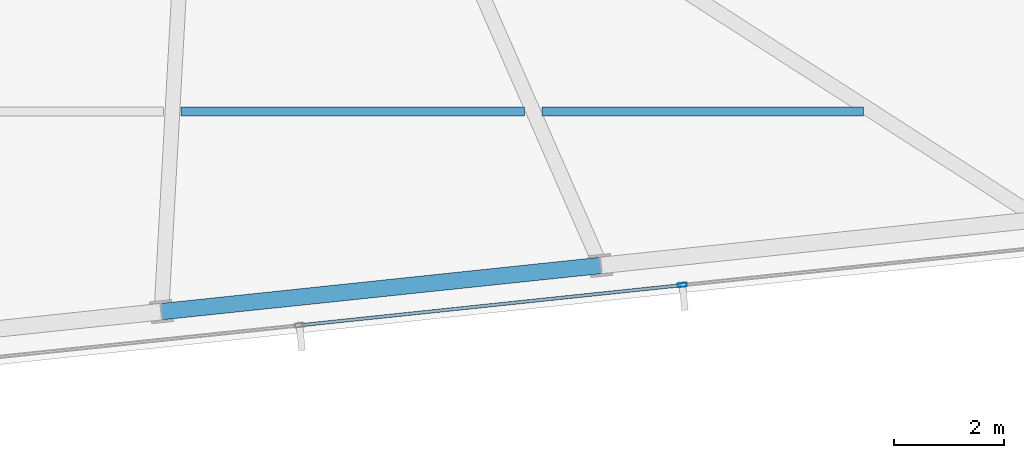
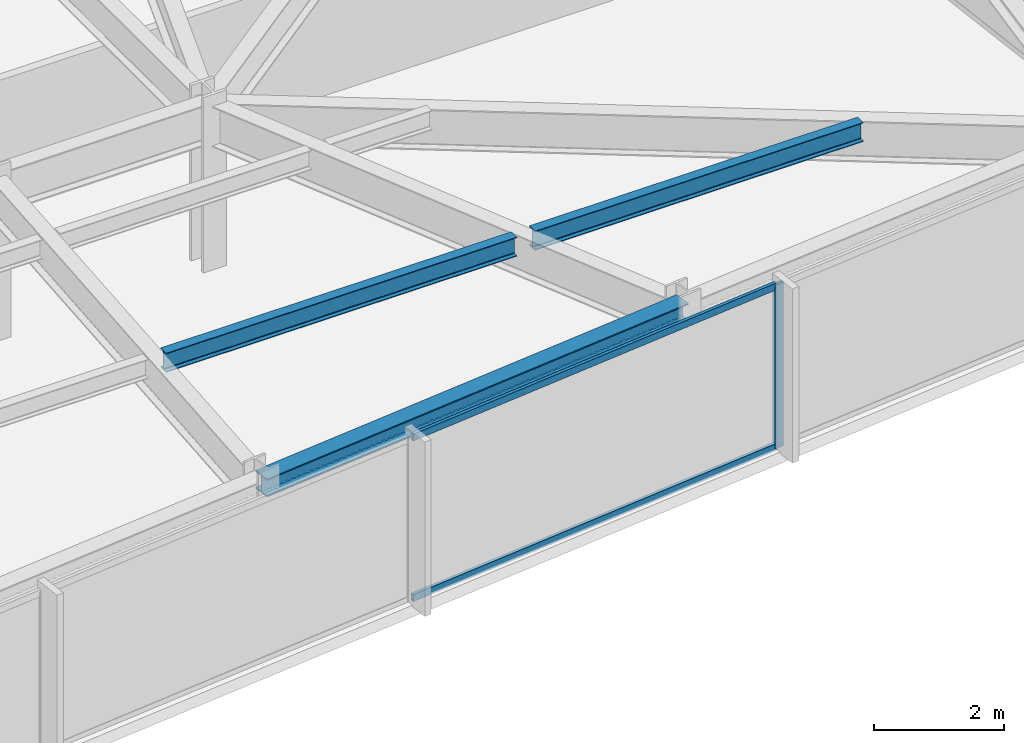
# One storey, part 15 of 32: 3 beams, 3 members, 1 element without a shape of its own.
"""IFC4 building model written with IfcOpenShell, lengths in metres."""

from ifc_helpers import new_model, si_unit, direction, frame, origin, origin_2d, place, context, subcontext, project, spatial, hollow_rectangle, i_section, extrude, material, material_profile, profile_set, type_object, element, aggregate, save


model = new_model("IFC4")

# Units and contexts
model_context = context("Model", 3, precision=1e-05, world=origin(), true_north=direction((0.0, 1.0)))
body_context = subcontext(model_context, "Body", "Model", "MODEL_VIEW")
ifc_project = project(units=[si_unit("LENGTHUNIT", "METRE"), si_unit("AREAUNIT", "SQUARE_METRE"), si_unit("VOLUMEUNIT", "CUBIC_METRE"), si_unit("PLANEANGLEUNIT", "RADIAN"), si_unit("MASSUNIT", "GRAM", prefix="KILO")], contexts=[model_context])

# Site, building, storey
site_placement = place(None, origin())
site = spatial("IfcSite", under=ifc_project, at=site_placement, CompositionType="ELEMENT")
building_placement = place(site_placement, origin())
building = spatial("IfcBuilding", under=site, at=building_placement, Name="Yelkora Congress Tower", CompositionType="ELEMENT")
storey_placement = place(building_placement, frame((0.0, 0.0, 207.800048828125)))
storey = spatial("IfcBuildingStorey", under=building, at=storey_placement, Name="L57", CompositionType="ELEMENT", Elevation=207.800048828125)

# Beams
ifc_material_1 = material(Name="Steel S355J2", Category="steel")
ifc_material_profile_1 = material_profile(ifc_material_1, i_section(OverallWidth=0.169921875, OverallDepth=0.360107421875, WebThickness=0.008056640625, FlangeThickness=0.0126953125, FilletRadius=0.01806640625, at=origin_2d()), Name="IPE 360")
ifc_profile_set_1 = profile_set([ifc_material_profile_1], Name="Steel S355J2")
beam_type_1 = type_object("IfcBeamType", Name="BM-JOIST-IPE360", PredefinedType="JOIST", material=ifc_profile_set_1)
beam_1_placement = place(storey_placement, frame((53.616455078125, 19.678466796875, 2.89990234375), z_axis=(1.0, 0.0, 0.0), x_axis=(0.0, 1.0, 0.0)))
element("IfcBeam", 1, at=beam_1_placement, inside=storey, type_object=beam_type_1, Name="L57 Composite Floor Joist 7", PredefinedType="JOIST", context=body_context, shape_type="SweptSolid", body=[
    extrude(i_section(OverallWidth=0.169921875, OverallDepth=0.360107421875, WebThickness=0.008056640625, FlangeThickness=0.0126953125, FilletRadius=0.01806640625, at=origin_2d()), origin(), (0.0, 0.0, 1.0), 6.2421875),
])
beam_2_placement = place(storey_placement, frame((60.1787109375, 19.678466796875, 2.89990234375), z_axis=(1.0, 0.0, 0.0), x_axis=(0.0, 1.0, 0.0)))
element("IfcBeam", 2, at=beam_2_placement, inside=storey, type_object=beam_type_1, Name="L57 Composite Floor Joist 8", PredefinedType="JOIST", context=body_context, shape_type="SweptSolid", body=[
    extrude(i_section(OverallWidth=0.169921875, OverallDepth=0.360107421875, WebThickness=0.008056640625, FlangeThickness=0.0126953125, FilletRadius=0.01806640625, at=origin_2d()), origin(), (0.0, 0.0, 1.0), 5.84619140625),
])
ifc_material_profile_2 = material_profile(ifc_material_1, i_section(OverallWidth=0.300048828125, OverallDepth=0.340087890625, WebThickness=0.011962890625, FlangeThickness=0.021484375, FilletRadius=0.027099609375, at=origin_2d()), Name="HEB 340")
ifc_profile_set_2 = profile_set([ifc_material_profile_2], Name="Steel S355J2")
beam_type_2 = type_object("IfcBeamType", Name="BM-SPAN-HEB340", PredefinedType="SPANDREL", material=ifc_profile_set_2)
beam_3_placement = place(storey_placement, frame((53.25634765625, 16.037353515625, 2.909912109375), z_axis=(0.994520097542, 0.104545567032, 0.0), x_axis=(-0.104545567032, 0.994520097542, 0.0)))
element("IfcBeam", 3, at=beam_3_placement, inside=storey, type_object=beam_type_2, Name="L57 Perimeter Beam 7", PredefinedType="SPANDREL", context=body_context, shape_type="SweptSolid", body=[
    extrude(i_section(OverallWidth=0.300048828125, OverallDepth=0.340087890625, WebThickness=0.011962890625, FlangeThickness=0.021484375, FilletRadius=0.027099609375, at=origin_2d()), origin(), (0.0, 0.0, 1.0), 8.033203125),
])

# Curtain wall, members
ifc_material_2 = material(Name="Anodised aluminium and insulated glass", Category="aluminium")
curtain_wall_type = type_object("IfcCurtainWallType", Name="CW-SYS-B4", PredefinedType="NOTDEFINED", material=ifc_material_2)
curtain_wall_placement = place(storey_placement, origin())
curtain_wall = element("IfcCurtainWall", 4, at=curtain_wall_placement, inside=storey, type_object=curtain_wall_type, Name="L57 Unitised Curtain Wall 20", PredefinedType="NOTDEFINED")
ifc_material_3 = material(Name="Anodised aluminium 6063-T6", Category="aluminium")
ifc_material_profile_3 = material_profile(ifc_material_3, hollow_rectangle(XDim=0.06494140625, YDim=0.159912109375, WallThickness=0.00390625, at=origin_2d()), Name="ALU 65x160x4")
ifc_profile_set_3 = profile_set([ifc_material_profile_3], Name="Anodised aluminium 6063-T6")
member_type_1 = type_object("IfcMemberType", Name="MEM-ML-B4", PredefinedType="MULLION", material=ifc_profile_set_3)
member_1_placement = place(storey_placement, frame((62.731689453125, 16.5205078125, 0.0), z_axis=(0.0, 0.0, 1.0), x_axis=(0.104526664994, -0.994522084373, 0.0)))
member_1 = element("IfcMember", 5, at=member_1_placement, type_object=member_type_1, Name="CW-B4 mullion 2", PredefinedType="MULLION", context=body_context, shape_type="SweptSolid", body=[
    extrude(hollow_rectangle(XDim=0.06494140625, YDim=0.159912109375, WallThickness=0.00390625, at=origin_2d()), origin(), (0.0, 0.0, 1.0), 3.079833984375),
])
ifc_material_profile_4 = material_profile(ifc_material_3, hollow_rectangle(XDim=0.06005859375, YDim=0.1298828125, WallThickness=0.00390625, at=origin_2d()), Name="ALU 60x130x4")
ifc_profile_set_4 = profile_set([ifc_material_profile_4], Name="Anodised aluminium 6063-T6")
member_type_2 = type_object("IfcMemberType", Name="MEM-TR-B4", PredefinedType="USERDEFINED", material=ifc_profile_set_4)
member_2_placement = place(storey_placement, frame((62.69921875, 16.51708984375, 0.030029296875), z_axis=(-0.994519904787, -0.104547400648, 0.0), x_axis=(0.104547400648, -0.994519904787, 0.0)))
member_2 = element("IfcMember", 6, at=member_2_placement, type_object=member_type_2, Name="CW-B4 transom 2.1", ObjectType="TRANSOM", PredefinedType="USERDEFINED", context=body_context, shape_type="SweptSolid", body=[
    extrude(hollow_rectangle(XDim=0.06005859375, YDim=0.1298828125, WallThickness=0.00390625, at=origin_2d()), origin(), (0.0, 0.0, 1.0), 6.93798828125),
])
member_3_placement = place(storey_placement, frame((62.69921875, 16.51708984375, 3.050048828125), z_axis=(-0.994519904787, -0.104547400648, 0.0), x_axis=(0.104547400648, -0.994519904787, 0.0)))
member_3 = element("IfcMember", 7, at=member_3_placement, type_object=member_type_2, Name="CW-B4 transom 2.2", ObjectType="TRANSOM", PredefinedType="USERDEFINED", context=body_context, shape_type="SweptSolid", body=[
    extrude(hollow_rectangle(XDim=0.06005859375, YDim=0.1298828125, WallThickness=0.00390625, at=origin_2d()), origin(), (0.0, 0.0, 1.0), 6.93798828125),
])
aggregate(curtain_wall, [member_1, member_2, member_3])

save(model, "model.ifc")
